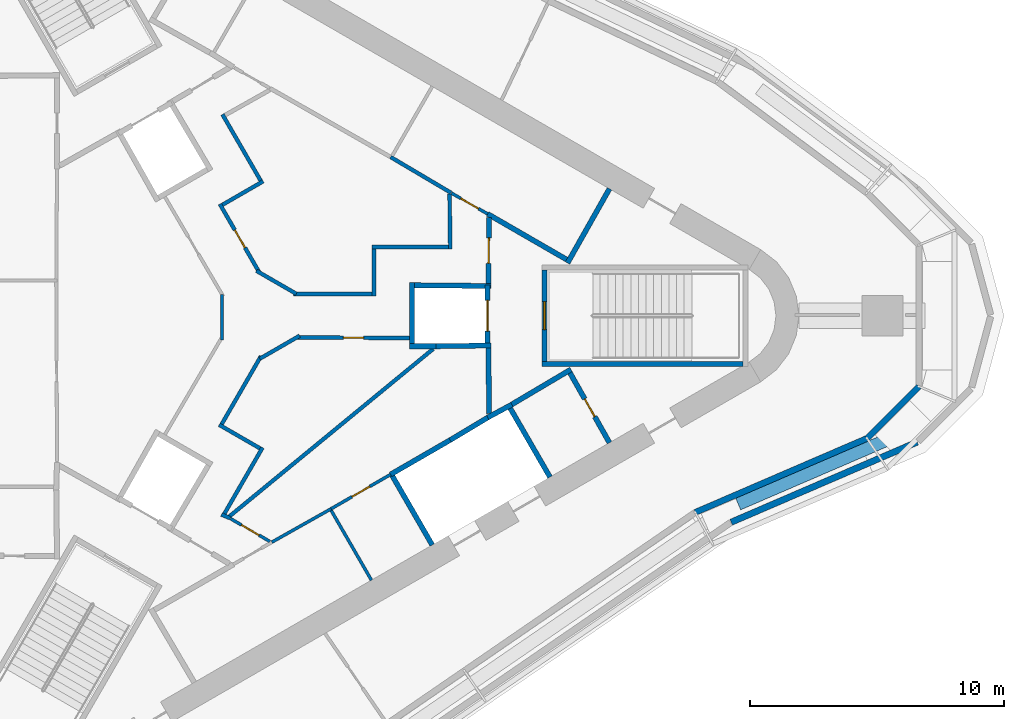
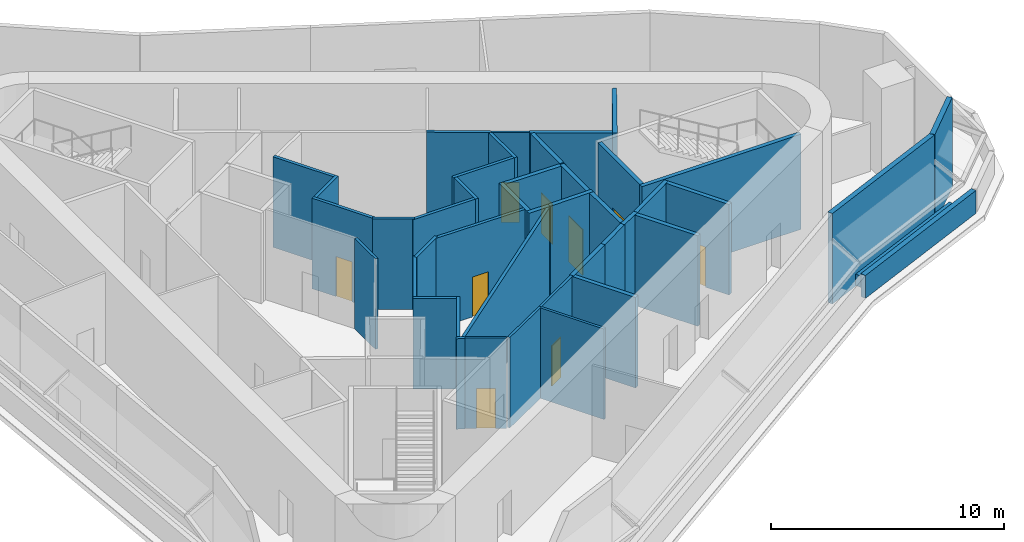
# One storey, part 4 of 7: 44 walls, 9 doors, 9 openings.
"""IFC4 building model written with IfcOpenShell, lengths in metres."""

from ifc_helpers import new_model, si_unit, direction, frame, frame_2d, origin, place, context, subcontext, project, spatial, rectangle, extrude, material, layer, layer_set, type_object, element, fill, save


model = new_model("IFC4")

# Units and contexts
model_context = context("Model", 3, precision=1e-05, world=origin(), true_north=direction((0.0, 1.0)))
body_context = subcontext(model_context, "Body", "Model", "MODEL_VIEW")
ifc_project = project(units=[si_unit("LENGTHUNIT", "METRE"), si_unit("AREAUNIT", "SQUARE_METRE"), si_unit("VOLUMEUNIT", "CUBIC_METRE"), si_unit("PLANEANGLEUNIT", "RADIAN"), si_unit("MASSUNIT", "GRAM", prefix="KILO")], contexts=[model_context])

# Site, building, storey
site_placement = place(None, origin())
site = spatial("IfcSite", under=ifc_project, at=site_placement, CompositionType="ELEMENT")
building_placement = place(site_placement, origin())
building = spatial("IfcBuilding", under=site, at=building_placement, Name="Tanit Gate Tower", CompositionType="ELEMENT")
storey_placement = place(building_placement, frame((0.0, 0.0, 420.300048828125)))
storey = spatial("IfcBuildingStorey", under=building, at=storey_placement, Name="L95", CompositionType="ELEMENT", Elevation=420.300048828125)

# Walls
ifc_material_1 = material(Name="Concrete C30/37 with bronze anodised aluminium cladding", Category="concrete")
ifc_layer_1 = layer(ifc_material_1, 0.239990234375)
ifc_layer_set_1 = layer_set([ifc_layer_1], Name="Facade wall bronze clad 240")
wall_type_1 = type_object("IfcWallType", Name="Facade wall bronze clad 240", PredefinedType="SOLIDWALL", material=ifc_layer_set_1)
wall_1_placement = place(storey_placement, frame((17.12744140625, -7.72900390625, 0.0), z_axis=(0.0, 0.0, 1.0), x_axis=(0.918306180975, 0.395870885497, 0.0)))
element("IfcWall", 1, at=wall_1_placement, inside=storey, type_object=wall_type_1, Name="Bronze-clad facade wall L95 SE3", PredefinedType="SOLIDWALL", context=body_context, shape_type="SweptSolid", body=[
    extrude(rectangle(XDim=7.349365234375, YDim=0.239990234375, at=frame_2d((3.6748046875, 0.0))), origin(), (0.0, 0.0, 1.0), 4.75),
])
wall_2_placement = place(storey_placement, frame((23.87646484375, -4.819580078125, 0.0), z_axis=(0.0, 0.0, 1.0), x_axis=(0.707106781187, 0.707106781187, 0.0)))
element("IfcWall", 2, at=wall_2_placement, inside=storey, type_object=wall_type_1, Name="Bronze-clad facade wall L95 E.arc1", PredefinedType="SOLIDWALL", context=body_context, shape_type="SweptSolid", body=[
    extrude(rectangle(XDim=2.885986328125, YDim=0.239990234375, at=frame_2d((1.44287109375, 0.0))), origin(), (0.0, 0.0, 1.0), 4.75),
])
ifc_material_2 = material(Name="Fire-rated gypsum board partition")
ifc_layer_2 = layer(ifc_material_2, 0.199951171875)
ifc_layer_set_2 = layer_set([ifc_layer_2], Name="INT-WALL-COMPARTMENT")
wall_type_2 = type_object("IfcWallType", Name="INT-WALL-COMPARTMENT", PredefinedType="PARTITIONING", material=ifc_layer_set_2)
wall_3_placement = place(storey_placement, frame((12.10986328125, 2.07275390625, 0.0), z_axis=(0.0, 0.0, 1.0), x_axis=(0.49196600604, 0.870614408852, 0.0)))
element("IfcWall", 3, at=wall_3_placement, inside=storey, type_object=wall_type_2, Name="Wall Compartment W044", PredefinedType="PARTITIONING", context=body_context, shape_type="SweptSolid", body=[
    extrude(rectangle(XDim=3.35009765625, YDim=0.199951171875, at=frame_2d((1.675048828125, 0.0))), origin(), (0.0, 0.0, 1.0), 4.75),
])
wall_4_placement = place(storey_placement, frame((8.97412109375, 3.998779296875, 0.0), z_axis=(0.0, 0.0, 1.0), x_axis=(0.86601284211, -0.500021756827, 0.0)))
element("IfcWall", 4, at=wall_4_placement, inside=storey, type_object=wall_type_2, Name="Wall Compartment W045", PredefinedType="PARTITIONING", context=body_context, shape_type="SweptSolid", body=[
    extrude(rectangle(XDim=3.577392578125, YDim=0.199951171875, at=frame_2d((1.78857421875, 0.0))), origin(), (0.0, 0.0, 1.0), 4.75),
])
wall_5_placement = place(storey_placement, frame((12.244873046875, -2.10888671875, 0.0), z_axis=(0.0, 0.0, 1.0), x_axis=(-0.860414880418, -0.509594185166, 0.0)))
element("IfcWall", 5, at=wall_5_placement, inside=storey, type_object=wall_type_2, Name="Wall Compartment W060", PredefinedType="PARTITIONING", context=body_context, shape_type="SweptSolid", body=[
    extrude(rectangle(XDim=2.7001953125, YDim=0.199951171875, at=frame_2d((1.35009765625, 0.0))), origin(), (0.0, 0.0, 1.0), 4.75),
])

# Wall, opening, door
wall_6_placement = place(storey_placement, frame((13.758056640625, -4.989501953125, 0.0), z_axis=(0.0, 0.0, 1.0), x_axis=(-0.491993409184, 0.87059892334, 0.0)))
wall_6 = element("IfcWall", 6, at=wall_6_placement, inside=storey, type_object=wall_type_2, Name="Wall Compartment W061", PredefinedType="PARTITIONING", context=body_context, shape_type="SweptSolid", body=[
    extrude(rectangle(XDim=3.150146484375, YDim=0.199951171875, at=frame_2d((1.5751953125, 0.0))), origin(), (0.0, 0.0, 1.0), 4.75),
])
opening_1_placement = place(wall_6_placement, frame((1.175048828125, 0.0, 0.0)))
opening_1 = element("IfcOpeningElement", 7, at=opening_1_placement, cuts=wall_6, Name="Opening R08-95-22", PredefinedType="OPENING", context=body_context, shape_type="SweptSolid", body=[
    extrude(rectangle(XDim=0.800048828125, YDim=2.10009765625, at=frame_2d((0.39990234375, 1.050048828125))), frame((0.0, 0.10986328125, 0.0), z_axis=(0.0, -1.0, 0.0), x_axis=(1.0, 0.0, 0.0)), (0.0, 0.0, 1.0), 0.219970703125),
])
ifc_material_3 = material(Name="Timber door leaf", Category="wood")
door_type_1 = type_object("IfcDoorType", Name="INT-DOOR-RISER-800", OperationType="NOTDEFINED", PredefinedType="USERDEFINED", material=ifc_material_3)
door_1_placement = place(opening_1_placement, origin())
door_1 = element("IfcDoor", 8, at=door_1_placement, inside=storey, type_object=door_type_1, Name="Door R08-95-22", ObjectType="FIRE DOOR", OperationType="SINGLE_SWING_RIGHT", OverallHeight=2.10009765625, OverallWidth=0.800048828125, PredefinedType="USERDEFINED", context=body_context, shape_type="SweptSolid", body=[
    extrude(rectangle(XDim=0.800048828125, YDim=2.10009765625, at=frame_2d((0.39990234375, 1.050048828125))), frame((0.0, 0.02490234375, 0.0), z_axis=(0.0, -1.0, 0.0), x_axis=(1.0, 0.0, 0.0)), (0.0, 0.0, 1.0), 0.050048828125),
])
fill(opening_1, door_1)

# Wall
wall_7_placement = place(storey_placement, frame((9.02880859375, -3.8505859375, 0.0), z_axis=(0.0, 0.0, 1.0), x_axis=(-0.010784614026, 0.999941844359, 0.0)))
element("IfcWall", 9, at=wall_7_placement, inside=storey, type_object=wall_type_2, Name="Wall Compartment W062", PredefinedType="PARTITIONING", context=body_context, shape_type="SweptSolid", body=[
    extrude(rectangle(XDim=2.580810546875, YDim=0.199951171875, at=frame_2d((1.29052734375, 0.0))), origin(), (0.0, 0.0, 1.0), 4.75),
])

# Wall, opening, door
wall_8_placement = place(storey_placement, frame((9.0009765625, 1.27001953125, 0.0), z_axis=(0.0, 0.0, 1.0), x_axis=(0.010780534828, 0.999941888346, 0.0)))
wall_8 = element("IfcWall", 10, at=wall_8_placement, inside=storey, type_object=wall_type_2, Name="Wall Compartment W063", PredefinedType="PARTITIONING", context=body_context, shape_type="SweptSolid", body=[
    extrude(rectangle(XDim=2.581787109375, YDim=0.199951171875, at=frame_2d((1.291015625, 0.0))), origin(), (0.0, 0.0, 1.0), 4.75),
])
opening_2_placement = place(wall_8_placement, frame((0.791015625, 0.0, 0.0)))
opening_2 = element("IfcOpeningElement", 11, at=opening_2_placement, cuts=wall_8, Name="Opening F10-95-02", PredefinedType="OPENING", context=body_context, shape_type="SweptSolid", body=[
    extrude(rectangle(XDim=1.0, YDim=2.10009765625, at=frame_2d((0.5, 1.050048828125))), frame((0.0, 0.10986328125, 0.0), z_axis=(0.0, -1.0, 0.0), x_axis=(1.0, 0.0, 0.0)), (0.0, 0.0, 1.0), 0.219970703125),
])
ifc_material_4 = material(Name="Fire-rated steel door leaf", Category="steel")
door_type_2 = type_object("IfcDoorType", Name="INT-DOOR-FIRE-1000", OperationType="NOTDEFINED", PredefinedType="USERDEFINED", material=ifc_material_4)
door_2_placement = place(opening_2_placement, origin())
door_2 = element("IfcDoor", 12, at=door_2_placement, inside=storey, type_object=door_type_2, Name="Door F10-95-02", ObjectType="FIRE DOOR", OperationType="SINGLE_SWING_RIGHT", OverallHeight=2.10009765625, OverallWidth=1.0, PredefinedType="USERDEFINED", context=body_context, shape_type="SweptSolid", body=[
    extrude(rectangle(XDim=1.0, YDim=2.10009765625, at=frame_2d((0.5, 1.050048828125))), frame((0.0, 0.02490234375, 0.0), z_axis=(0.0, -1.0, 0.0), x_axis=(1.0, 0.0, 0.0)), (0.0, 0.0, 1.0), 0.050048828125),
])
fill(opening_2, door_2)

ifc_material_5 = material(Name="Gypsum board partition")
ifc_layer_3 = layer(ifc_material_5, 0.1201171875)
ifc_layer_set_3 = layer_set([ifc_layer_3], Name="INT-WALL-PARTITION")
wall_type_3 = type_object("IfcWallType", Name="INT-WALL-PARTITION", PredefinedType="PARTITIONING", material=ifc_layer_set_3)
wall_9_placement = place(storey_placement, frame((7.550048828125, 4.82080078125, 0.0), z_axis=(0.0, 0.0, 1.0), x_axis=(0.866069384335, -0.499923815713, 0.0)))
wall_9 = element("IfcWall", 13, at=wall_9_placement, inside=storey, type_object=wall_type_3, Name="Wall Partition W047", PredefinedType="PARTITIONING", context=body_context, shape_type="SweptSolid", body=[
    extrude(rectangle(XDim=1.644287109375, YDim=0.1201171875, at=frame_2d((0.822265625, 0.0))), origin(), (0.0, 0.0, 1.0), 4.75),
])
opening_3_placement = place(wall_9_placement, frame((0.422119140625, 0.0, 0.0)))
opening_3 = element("IfcOpeningElement", 14, at=opening_3_placement, cuts=wall_9, Name="Opening R08-95-17", PredefinedType="OPENING", context=body_context, shape_type="SweptSolid", body=[
    extrude(rectangle(XDim=0.800048828125, YDim=2.10009765625, at=frame_2d((0.39990234375, 1.050048828125))), frame((0.0, 0.070068359375, 0.0), z_axis=(0.0, -1.0, 0.0), x_axis=(1.0, 0.0, 0.0)), (0.0, 0.0, 1.0), 0.14013671875),
])
door_3_placement = place(opening_3_placement, origin())
door_3 = element("IfcDoor", 15, at=door_3_placement, inside=storey, type_object=door_type_1, Name="Door R08-95-17", ObjectType="FIRE DOOR", OperationType="SINGLE_SWING_LEFT", OverallHeight=2.10009765625, OverallWidth=0.800048828125, PredefinedType="USERDEFINED", context=body_context, shape_type="SweptSolid", body=[
    extrude(rectangle(XDim=0.800048828125, YDim=2.10009765625, at=frame_2d((0.39990234375, 1.050048828125))), frame((0.0, 0.02490234375, 0.0), z_axis=(0.0, -1.0, 0.0), x_axis=(1.0, 0.0, 0.0)), (0.0, 0.0, 1.0), 0.050048828125),
])
fill(opening_3, door_3)

# Walls
wall_10_placement = place(storey_placement, frame((4.40478515625, -10.389404296875, 0.0), z_axis=(0.0, 0.0, 1.0), x_axis=(-0.500017246033, 0.866015446554, 0.0)))
element("IfcWall", 16, at=wall_10_placement, inside=storey, type_object=wall_type_3, Name="Wall Partition W054", PredefinedType="PARTITIONING", context=body_context, shape_type="SweptSolid", body=[
    extrude(rectangle(XDim=3.25, YDim=0.1201171875, at=frame_2d((1.625, 0.0))), origin(), (0.0, 0.0, 1.0), 4.75),
])
wall_11_placement = place(storey_placement, frame((0.4931640625, -8.896240234375, 0.0), z_axis=(0.0, 0.0, 1.0), x_axis=(0.871414386141, 0.490547620141, 0.0)))
element("IfcWall", 17, at=wall_11_placement, inside=storey, type_object=wall_type_3, Name="Wall Partition W057", PredefinedType="PARTITIONING", context=body_context, shape_type="SweptSolid", body=[
    extrude(rectangle(XDim=2.671142578125, YDim=0.1201171875, at=frame_2d((1.33544921875, 0.0))), origin(), (0.0, 0.0, 1.0), 4.75),
])

# Wall, opening, door
wall_12_placement = place(storey_placement, frame((2.82080078125, -7.5859375, 0.0), z_axis=(0.0, 0.0, 1.0), x_axis=(0.866019956843, 0.50000943426, 0.0)))
wall_12 = element("IfcWall", 18, at=wall_12_placement, inside=storey, type_object=wall_type_3, Name="Wall Partition W059", PredefinedType="PARTITIONING", context=body_context, shape_type="SweptSolid", body=[
    extrude(rectangle(XDim=2.7001953125, YDim=0.1201171875, at=frame_2d((1.35009765625, 0.0))), origin(), (0.0, 0.0, 1.0), 4.75),
])
opening_4_placement = place(wall_12_placement, frame((0.949951171875, 0.0, 0.0)))
opening_4 = element("IfcOpeningElement", 19, at=opening_4_placement, cuts=wall_12, Name="Opening R08-95-21", PredefinedType="OPENING", context=body_context, shape_type="SweptSolid", body=[
    extrude(rectangle(XDim=0.800048828125, YDim=2.10009765625, at=frame_2d((0.39990234375, 1.050048828125))), frame((0.0, 0.070068359375, 0.0), z_axis=(0.0, -1.0, 0.0), x_axis=(1.0, 0.0, 0.0)), (0.0, 0.0, 1.0), 0.14013671875),
])
door_4_placement = place(opening_4_placement, origin())
door_4 = element("IfcDoor", 20, at=door_4_placement, inside=storey, type_object=door_type_1, Name="Door R08-95-21", ObjectType="FIRE DOOR", OperationType="SINGLE_SWING_RIGHT", OverallHeight=2.10009765625, OverallWidth=0.800048828125, PredefinedType="USERDEFINED", context=body_context, shape_type="SweptSolid", body=[
    extrude(rectangle(XDim=0.800048828125, YDim=2.10009765625, at=frame_2d((0.39990234375, 1.050048828125))), frame((0.0, 0.02490234375, 0.0), z_axis=(0.0, -1.0, 0.0), x_axis=(1.0, 0.0, 0.0)), (0.0, 0.0, 1.0), 0.050048828125),
])
fill(opening_4, door_4)

# Wall
wall_13_placement = place(storey_placement, frame((-1.47216796875, -0.952392578125, 0.0), z_axis=(0.0, 0.0, 1.0), x_axis=(0.0, 1.0, 0.0)))
element("IfcWall", 21, at=wall_13_placement, inside=storey, type_object=wall_type_3, Name="Wall Partition W069", PredefinedType="PARTITIONING", context=body_context, shape_type="SweptSolid", body=[
    extrude(rectangle(XDim=1.783447265625, YDim=0.1201171875, at=frame_2d((0.8916015625, 0.0))), origin(), (0.0, 0.0, 1.0), 4.75),
])

# Wall, opening, door
wall_14_placement = place(storey_placement, frame((-1.1298828125, -7.973876953125, 0.0), z_axis=(0.0, 0.0, 1.0), x_axis=(0.864961190995, -0.501838757045, 0.0)))
wall_14 = element("IfcWall", 22, at=wall_14_placement, inside=storey, type_object=wall_type_3, Name="Wall Partition W078", PredefinedType="PARTITIONING", context=body_context, shape_type="SweptSolid", body=[
    extrude(rectangle(XDim=1.786376953125, YDim=0.1201171875, at=frame_2d((0.89306640625, 0.0))), origin(), (0.0, 0.0, 1.0), 4.75),
])
opening_5_placement = place(wall_14_placement, frame((0.4931640625, 0.0, 0.0)))
opening_5 = element("IfcOpeningElement", 23, at=opening_5_placement, cuts=wall_14, Name="Opening R08-95-12", PredefinedType="OPENING", context=body_context, shape_type="SweptSolid", body=[
    extrude(rectangle(XDim=0.800048828125, YDim=2.10009765625, at=frame_2d((0.39990234375, 1.050048828125))), frame((0.0, 0.070068359375, 0.0), z_axis=(0.0, -1.0, 0.0), x_axis=(1.0, 0.0, 0.0)), (0.0, 0.0, 1.0), 0.14013671875),
])
door_5_placement = place(opening_5_placement, origin())
door_5 = element("IfcDoor", 24, at=door_5_placement, inside=storey, type_object=door_type_1, Name="Door R08-95-12", ObjectType="FIRE DOOR", OperationType="SINGLE_SWING_RIGHT", OverallHeight=2.10009765625, OverallWidth=0.800048828125, PredefinedType="USERDEFINED", context=body_context, shape_type="SweptSolid", body=[
    extrude(rectangle(XDim=0.800048828125, YDim=2.10009765625, at=frame_2d((0.39990234375, 1.050048828125))), frame((0.0, 0.02490234375, 0.0), z_axis=(0.0, -1.0, 0.0), x_axis=(1.0, 0.0, 0.0)), (0.0, 0.0, 1.0), 0.050048828125),
])
fill(opening_5, door_5)

# Walls
ifc_material_6 = material(Name="Fire-rated gypsum board partition")
ifc_layer_4 = layer(ifc_material_6, 0.14990234375)
ifc_layer_set_4 = layer_set([ifc_layer_4], Name="INT-WALL-RISER")
wall_type_4 = type_object("IfcWallType", Name="INT-WALL-RISER", PredefinedType="PLUMBINGWALL", material=ifc_layer_set_4)
wall_15_placement = place(storey_placement, frame((7.530029296875, 4.83251953125, 0.0), z_axis=(0.0, 0.0, 1.0), x_axis=(-0.860550523279, 0.509365091938, 0.0)))
element("IfcWall", 25, at=wall_15_placement, inside=storey, type_object=wall_type_4, Name="Wall Riser W046", PredefinedType="PLUMBINGWALL", context=body_context, shape_type="SweptSolid", body=[
    extrude(rectangle(XDim=2.755126953125, YDim=0.14990234375, at=frame_2d((1.37744140625, 0.0))), origin(), (0.0, 0.0, 1.0), 4.75),
])
wall_16_placement = place(storey_placement, frame((6.833740234375, -1.3017578125, 0.0), z_axis=(0.0, 0.0, 1.0), x_axis=(-0.772564687607, -0.634936062499, 0.0)))
element("IfcWall", 26, at=wall_16_placement, inside=storey, type_object=wall_type_4, Name="Wall Riser W071", PredefinedType="PLUMBINGWALL", context=body_context, shape_type="SweptSolid", body=[
    extrude(rectangle(XDim=10.457275390625, YDim=0.14990234375, at=frame_2d((5.228515625, 0.0))), origin(), (0.0, 0.0, 1.0), 4.75),
])
wall_17_placement = place(storey_placement, frame((-1.490234375, -7.812255859375, 0.0), z_axis=(0.0, 0.0, 1.0), x_axis=(0.921780306558, -0.387712608051, 0.0)))
element("IfcWall", 27, at=wall_17_placement, inside=storey, type_object=wall_type_4, Name="Wall Riser W072", PredefinedType="PLUMBINGWALL", context=body_context, shape_type="SweptSolid", body=[
    extrude(rectangle(XDim=0.38037109375, YDim=0.14990234375, at=frame_2d((0.190185546875, 0.0))), origin(), (0.0, 0.0, 1.0), 4.75),
])
wall_18_placement = place(storey_placement, frame((0.125732421875, -5.18212890625, 0.0), z_axis=(0.0, 0.0, 1.0), x_axis=(-0.499999580976, -0.866025645708, 0.0)))
element("IfcWall", 28, at=wall_18_placement, inside=storey, type_object=wall_type_4, Name="Wall Riser W073", PredefinedType="PLUMBINGWALL", context=body_context, shape_type="SweptSolid", body=[
    extrude(rectangle(XDim=2.99951171875, YDim=0.14990234375, at=frame_2d((1.499755859375, 0.0))), origin(), (0.0, 0.0, 1.0), 4.75),
])
wall_19_placement = place(storey_placement, frame((-1.578857421875, -4.28466796875, 0.0), z_axis=(0.0, 0.0, 1.0), x_axis=(0.866033964044, -0.499985172903, 0.0)))
element("IfcWall", 29, at=wall_19_placement, inside=storey, type_object=wall_type_4, Name="Wall Riser W074", PredefinedType="PLUMBINGWALL", context=body_context, shape_type="SweptSolid", body=[
    extrude(rectangle(XDim=1.85009765625, YDim=0.14990234375, at=frame_2d((0.925048828125, 0.0))), origin(), (0.0, 0.0, 1.0), 4.75),
])
wall_20_placement = place(storey_placement, frame((0.06494140625, -1.58740234375, 0.0), z_axis=(0.0, 0.0, 1.0), x_axis=(-0.499980683721, -0.866036555756, 0.0)))
element("IfcWall", 30, at=wall_20_placement, inside=storey, type_object=wall_type_4, Name="Wall Riser W075", PredefinedType="PLUMBINGWALL", context=body_context, shape_type="SweptSolid", body=[
    extrude(rectangle(XDim=3.08251953125, YDim=0.14990234375, at=frame_2d((1.541259765625, 0.0))), origin(), (0.0, 0.0, 1.0), 4.75),
])
wall_21_placement = place(storey_placement, frame((1.5830078125, -0.7861328125, 0.0), z_axis=(0.0, 0.0, 1.0), x_axis=(-0.866036909293, -0.499980071345, 0.0)))
element("IfcWall", 31, at=wall_21_placement, inside=storey, type_object=wall_type_4, Name="Wall Riser W076", PredefinedType="PLUMBINGWALL", context=body_context, shape_type="SweptSolid", body=[
    extrude(rectangle(XDim=1.8046875, YDim=0.14990234375, at=frame_2d((0.90234375, 0.0))), origin(), (0.0, 0.0, 1.0), 4.75),
])

# Wall, opening, door
wall_22_placement = place(storey_placement, frame((5.89990234375, -0.87890625, 0.0), z_axis=(0.0, 0.0, 1.0), x_axis=(-0.999978605844, 0.006541242613, 0.0)))
wall_22 = element("IfcWall", 32, at=wall_22_placement, inside=storey, type_object=wall_type_4, Name="Wall Riser W077", PredefinedType="PLUMBINGWALL", context=body_context, shape_type="SweptSolid", body=[
    extrude(rectangle(XDim=4.404052734375, YDim=0.14990234375, at=frame_2d((2.2021484375, 0.0))), origin(), (0.0, 0.0, 1.0), 4.75),
])
opening_6_placement = place(wall_22_placement, frame((1.802001953125, 0.0, 0.0)))
opening_6 = element("IfcOpeningElement", 33, at=opening_6_placement, cuts=wall_22, Name="Opening R08-95-11", PredefinedType="OPENING", context=body_context, shape_type="SweptSolid", body=[
    extrude(rectangle(XDim=0.800048828125, YDim=2.10009765625, at=frame_2d((0.39990234375, 1.050048828125))), frame((0.0, 0.0849609375, 0.0), z_axis=(0.0, -1.0, 0.0), x_axis=(1.0, 0.0, 0.0)), (0.0, 0.0, 1.0), 0.169921875),
])
door_6_placement = place(opening_6_placement, origin())
door_6 = element("IfcDoor", 34, at=door_6_placement, inside=storey, type_object=door_type_1, Name="Door R08-95-11", ObjectType="FIRE DOOR", OperationType="SINGLE_SWING_LEFT", OverallHeight=2.10009765625, OverallWidth=0.800048828125, PredefinedType="USERDEFINED", context=body_context, shape_type="SweptSolid", body=[
    extrude(rectangle(XDim=0.800048828125, YDim=2.10009765625, at=frame_2d((0.39990234375, 1.050048828125))), frame((0.0, 0.02490234375, 0.0), z_axis=(0.0, -1.0, 0.0), x_axis=(1.0, 0.0, 0.0)), (0.0, 0.0, 1.0), 0.050048828125),
])
fill(opening_6, door_6)

# Walls
wall_23_placement = place(storey_placement, frame((7.5009765625, 2.625, 0.0), z_axis=(0.0, 0.0, 1.0), x_axis=(-0.011799927307, 0.999930378434, 0.0)))
element("IfcWall", 35, at=wall_23_placement, inside=storey, type_object=wall_type_4, Name="Wall Riser W079", PredefinedType="PLUMBINGWALL", context=body_context, shape_type="SweptSolid", body=[
    extrude(rectangle(XDim=2.15185546875, YDim=0.14990234375, at=frame_2d((1.075927734375, 0.0))), origin(), (0.0, 0.0, 1.0), 4.75),
])
wall_24_placement = place(storey_placement, frame((4.425048828125, 2.699951171875, 0.0), z_axis=(0.0, 0.0, 1.0), x_axis=(1.0, 0.0, 0.0)))
element("IfcWall", 36, at=wall_24_placement, inside=storey, type_object=wall_type_4, Name="Wall Riser W080", PredefinedType="PLUMBINGWALL", context=body_context, shape_type="SweptSolid", body=[
    extrude(rectangle(XDim=3.0, YDim=0.14990234375, at=frame_2d((1.5, 0.0))), origin(), (0.0, 0.0, 1.0), 4.75),
])
wall_25_placement = place(storey_placement, frame((4.5, 0.77490234375, 0.0), z_axis=(0.0, 0.0, 1.0), x_axis=(0.0, 1.0, 0.0)))
element("IfcWall", 37, at=wall_25_placement, inside=storey, type_object=wall_type_4, Name="Wall Riser W081", PredefinedType="PLUMBINGWALL", context=body_context, shape_type="SweptSolid", body=[
    extrude(rectangle(XDim=1.85009765625, YDim=0.14990234375, at=frame_2d((0.925048828125, 0.0))), origin(), (0.0, 0.0, 1.0), 4.75),
])
wall_26_placement = place(storey_placement, frame((1.34228515625, 0.85009765625, 0.0), z_axis=(0.0, 0.0, 1.0), x_axis=(1.0, 0.0, 0.0)))
element("IfcWall", 38, at=wall_26_placement, inside=storey, type_object=wall_type_4, Name="Wall Riser W082", PredefinedType="PLUMBINGWALL", context=body_context, shape_type="SweptSolid", body=[
    extrude(rectangle(XDim=3.082763671875, YDim=0.14990234375, at=frame_2d((1.54150390625, 0.0))), origin(), (0.0, 0.0, 1.0), 4.75),
])
wall_27_placement = place(storey_placement, frame((-0.112548828125, 1.764892578125, 0.0), z_axis=(0.0, 0.0, 1.0), x_axis=(0.866039322102, -0.499975891992, 0.0)))
element("IfcWall", 39, at=wall_27_placement, inside=storey, type_object=wall_type_4, Name="Wall Riser W083", PredefinedType="PLUMBINGWALL", context=body_context, shape_type="SweptSolid", body=[
    extrude(rectangle(XDim=1.806640625, YDim=0.14990234375, at=frame_2d((0.9033203125, 0.0))), origin(), (0.0, 0.0, 1.0), 4.75),
])

# Wall, opening, door
wall_28_placement = place(storey_placement, frame((-1.55126953125, 4.386962890625, 0.0), z_axis=(0.0, 0.0, 1.0), x_axis=(0.499976393034, -0.866039032844, 0.0)))
wall_28 = element("IfcWall", 40, at=wall_28_placement, inside=storey, type_object=wall_type_4, Name="Wall Riser W084", PredefinedType="PLUMBINGWALL", context=body_context, shape_type="SweptSolid", body=[
    extrude(rectangle(XDim=3.079345703125, YDim=0.14990234375, at=frame_2d((1.53955078125, 0.0))), origin(), (0.0, 0.0, 1.0), 4.75),
])
opening_7_placement = place(wall_28_placement, frame((1.17724609375, 0.0, 0.0)))
opening_7 = element("IfcOpeningElement", 41, at=opening_7_placement, cuts=wall_28, Name="Opening R08-95-13", PredefinedType="OPENING", context=body_context, shape_type="SweptSolid", body=[
    extrude(rectangle(XDim=0.800048828125, YDim=2.10009765625, at=frame_2d((0.39990234375, 1.050048828125))), frame((0.0, 0.0849609375, 0.0), z_axis=(0.0, -1.0, 0.0), x_axis=(1.0, 0.0, 0.0)), (0.0, 0.0, 1.0), 0.169921875),
])
door_7_placement = place(opening_7_placement, origin())
door_7 = element("IfcDoor", 42, at=door_7_placement, inside=storey, type_object=door_type_1, Name="Door R08-95-13", ObjectType="FIRE DOOR", OperationType="SINGLE_SWING_RIGHT", OverallHeight=2.10009765625, OverallWidth=0.800048828125, PredefinedType="USERDEFINED", context=body_context, shape_type="SweptSolid", body=[
    extrude(rectangle(XDim=0.800048828125, YDim=2.10009765625, at=frame_2d((0.39990234375, 1.050048828125))), frame((0.0, 0.02490234375, 0.0), z_axis=(0.0, -1.0, 0.0), x_axis=(1.0, 0.0, 0.0)), (0.0, 0.0, 1.0), 0.050048828125),
])
fill(opening_7, door_7)

# Walls
wall_29_placement = place(storey_placement, frame((0.1533203125, 5.28466796875, 0.0), z_axis=(0.0, 0.0, 1.0), x_axis=(-0.866033964044, -0.499985172903, 0.0)))
element("IfcWall", 43, at=wall_29_placement, inside=storey, type_object=wall_type_4, Name="Wall Riser W085", PredefinedType="PLUMBINGWALL", context=body_context, shape_type="SweptSolid", body=[
    extrude(rectangle(XDim=1.85009765625, YDim=0.14990234375, at=frame_2d((0.925048828125, 0.0))), origin(), (0.0, 0.0, 1.0), 4.75),
])
wall_30_placement = place(storey_placement, frame((-1.44921875, 7.91015625, 0.0), z_axis=(0.0, 0.0, 1.0), x_axis=(0.499990139034, -0.866031096941, 0.0)))
element("IfcWall", 44, at=wall_30_placement, inside=storey, type_object=wall_type_4, Name="Wall Riser W086", PredefinedType="PLUMBINGWALL", context=body_context, shape_type="SweptSolid", body=[
    extrude(rectangle(XDim=3.0, YDim=0.14990234375, at=frame_2d((1.5, 0.0))), origin(), (0.0, 0.0, 1.0), 4.75),
])
ifc_material_7 = material(Name="Gypsum shaft wall system")
ifc_layer_5 = layer(ifc_material_7, 0.199951171875)
ifc_layer_set_5 = layer_set([ifc_layer_5], Name="INT-WALL-SHAFT")
wall_type_5 = type_object("IfcWallType", Name="INT-WALL-SHAFT", PredefinedType="PLUMBINGWALL", material=ifc_layer_set_5)
wall_31_placement = place(storey_placement, frame((6.795166015625, -9.009521484375, 0.0), z_axis=(0.0, 0.0, 1.0), x_axis=(-0.499984717929, 0.866034226713, 0.0)))
element("IfcWall", 45, at=wall_31_placement, inside=storey, type_object=wall_type_5, Name="Wall Shaft W001", PredefinedType="PLUMBINGWALL", context=body_context, shape_type="SweptSolid", body=[
    extrude(rectangle(XDim=3.25, YDim=0.199951171875, at=frame_2d((1.625, 0.0))), origin(), (0.0, 0.0, 1.0), 4.75),
])
wall_32_placement = place(storey_placement, frame((5.1591796875, -6.23583984375, 0.0), z_axis=(0.0, 0.0, 1.0), x_axis=(0.866036505625, 0.499980770555, 0.0)))
element("IfcWall", 46, at=wall_32_placement, inside=storey, type_object=wall_type_5, Name="Wall Shaft W002", PredefinedType="PLUMBINGWALL", context=body_context, shape_type="SweptSolid", body=[
    extrude(rectangle(XDim=2.69970703125, YDim=0.199951171875, at=frame_2d((1.349853515625, 0.0))), origin(), (0.0, 0.0, 1.0), 4.75),
])
wall_33_placement = place(storey_placement, frame((9.794677734375, -3.52490234375, 0.0), z_axis=(0.0, 0.0, 1.0), x_axis=(0.499984717929, -0.866034226713, 0.0)))
element("IfcWall", 47, at=wall_33_placement, inside=storey, type_object=wall_type_5, Name="Wall Shaft W003", PredefinedType="PLUMBINGWALL", context=body_context, shape_type="SweptSolid", body=[
    extrude(rectangle(XDim=3.25, YDim=0.199951171875, at=frame_2d((1.625, 0.0))), origin(), (0.0, 0.0, 1.0), 4.75),
])
wall_34_placement = place(storey_placement, frame((8.97412109375, -3.998779296875, 0.0), z_axis=(0.0, 0.0, 1.0), x_axis=(0.880907015104, 0.473289373154, 0.0)))
element("IfcWall", 48, at=wall_34_placement, inside=storey, type_object=wall_type_5, Name="Wall Shaft W004", PredefinedType="PLUMBINGWALL", context=body_context, shape_type="SweptSolid", body=[
    extrude(rectangle(XDim=1.078125, YDim=0.199951171875, at=frame_2d((0.5390625, 0.0))), origin(), (0.0, 0.0, 1.0), 4.75),
])
wall_35_placement = place(storey_placement, frame((7.497314453125, -4.885986328125, 0.0), z_axis=(0.0, 0.0, 1.0), x_axis=(0.857516281273, 0.51445682749, 0.0)))
element("IfcWall", 49, at=wall_35_placement, inside=storey, type_object=wall_type_5, Name="Wall Shaft W005", PredefinedType="PLUMBINGWALL", context=body_context, shape_type="SweptSolid", body=[
    extrude(rectangle(XDim=1.8447265625, YDim=0.199951171875, at=frame_2d((0.92236328125, 0.0))), origin(), (0.0, 0.0, 1.0), 4.75),
])

# Wall, opening, door
wall_36_placement = place(storey_placement, frame((8.969970703125, 1.199951171875, 0.0), z_axis=(0.0, 0.0, 1.0), x_axis=(0.0, -1.0, 0.0)))
wall_36 = element("IfcWall", 50, at=wall_36_placement, inside=storey, type_object=wall_type_5, Name="Wall Shaft W010", PredefinedType="PLUMBINGWALL", context=body_context, shape_type="SweptSolid", body=[
    extrude(rectangle(XDim=2.39990234375, YDim=0.199951171875, at=frame_2d((1.199951171875, 0.0))), origin(), (0.0, 0.0, 1.0), 4.75),
])
opening_8_placement = place(wall_36_placement, frame((0.60009765625, 0.0, 0.0)))
opening_8 = element("IfcOpeningElement", 51, at=opening_8_placement, cuts=wall_36, Name="Opening LDFL1-L95", PredefinedType="OPENING", context=body_context, shape_type="SweptSolid", body=[
    extrude(rectangle(XDim=1.199951171875, YDim=2.39990234375, at=frame_2d((0.60009765625, 1.199951171875))), frame((0.0, 0.10986328125, 0.0), z_axis=(0.0, -1.0, 0.0), x_axis=(1.0, 0.0, 0.0)), (0.0, 0.0, 1.0), 0.219970703125),
])
ifc_material_8 = material(Name="Stainless steel sliding door leaf", Category="steel")
door_type_3 = type_object("IfcDoorType", Name="INT-DOOR-LANDING-1200", OperationType="NOTDEFINED", PredefinedType="USERDEFINED", material=ifc_material_8)
door_8_placement = place(opening_8_placement, origin())
door_8 = element("IfcDoor", 52, at=door_8_placement, inside=storey, type_object=door_type_3, Name="Door LDFL1-L95", ObjectType="LANDING DOOR", OperationType="SLIDING_TO_LEFT", OverallHeight=2.39990234375, OverallWidth=1.199951171875, PredefinedType="USERDEFINED", context=body_context, shape_type="SweptSolid", body=[
    extrude(rectangle(XDim=1.199951171875, YDim=2.39990234375, at=frame_2d((0.60009765625, 1.199951171875))), frame((0.0, 0.02490234375, 0.0), z_axis=(0.0, -1.0, 0.0), x_axis=(1.0, 0.0, 0.0)), (0.0, 0.0, 1.0), 0.050048828125),
])
fill(opening_8, door_8)

# Walls
wall_37_placement = place(storey_placement, frame((6.948974609375, -1.199951171875, 0.0), z_axis=(0.0, 0.0, 1.0), x_axis=(-1.0, 0.0, 0.0)))
element("IfcWall", 53, at=wall_37_placement, inside=storey, type_object=wall_type_5, Name="Wall Shaft W011", PredefinedType="PLUMBINGWALL", context=body_context, shape_type="SweptSolid", body=[
    extrude(rectangle(XDim=1.049072265625, YDim=0.199951171875, at=frame_2d((0.5244140625, 0.0))), origin(), (0.0, 0.0, 1.0), 4.75),
])
wall_38_placement = place(storey_placement, frame((6.0, -1.10009765625, 0.0), z_axis=(0.0, 0.0, 1.0), x_axis=(0.0, 1.0, 0.0)))
element("IfcWall", 54, at=wall_38_placement, inside=storey, type_object=wall_type_5, Name="Wall Shaft W012", PredefinedType="PLUMBINGWALL", context=body_context, shape_type="SweptSolid", body=[
    extrude(rectangle(XDim=2.400146484375, YDim=0.199951171875, at=frame_2d((1.2001953125, 0.0))), origin(), (0.0, 0.0, 1.0), 4.75),
])
wall_39_placement = place(storey_placement, frame((9.10009765625, -1.16845703125, 0.0), z_axis=(0.0, 0.0, 1.0), x_axis=(-0.999896137355, -0.014412303875, 0.0)))
element("IfcWall", 55, at=wall_39_placement, inside=storey, type_object=wall_type_5, Name="Wall Shaft W013", PredefinedType="PLUMBINGWALL", context=body_context, shape_type="SweptSolid", body=[
    extrude(rectangle(XDim=2.1513671875, YDim=0.199951171875, at=frame_2d((1.07568359375, 0.0))), origin(), (0.0, 0.0, 1.0), 4.75),
])
wall_40_placement = place(storey_placement, frame((9.10009765625, 1.1689453125, 0.0), z_axis=(0.0, 0.0, 1.0), x_axis=(-0.99994990606, 0.010009264196, 0.0)))
element("IfcWall", 56, at=wall_40_placement, inside=storey, type_object=wall_type_5, Name="Wall Shaft W015", PredefinedType="PLUMBINGWALL", context=body_context, shape_type="SweptSolid", body=[
    extrude(rectangle(XDim=3.000244140625, YDim=0.199951171875, at=frame_2d((1.5, 0.0))), origin(), (0.0, 0.0, 1.0), 4.75),
])
ifc_material_9 = material(Name="Concrete C40/50", Category="concrete")
ifc_layer_6 = layer(ifc_material_9, 0.199951171875)
ifc_layer_set_6 = layer_set([ifc_layer_6], Name="INT-WALL-STAIR")
wall_type_6 = type_object("IfcWallType", Name="INT-WALL-STAIR", PredefinedType="SHEAR", material=ifc_layer_set_6)
wall_41_placement = place(storey_placement, frame((11.10009765625, -1.89990234375, -0.25), z_axis=(0.0, 0.0, 1.0), x_axis=(1.0, 0.0, 0.0)))
element("IfcWall", 57, at=wall_41_placement, inside=storey, type_object=wall_type_6, Name="Wall Stair W008", PredefinedType="SHEAR", context=body_context, shape_type="SweptSolid", body=[
    extrude(rectangle(XDim=7.89990234375, YDim=0.199951171875, at=frame_2d((3.949951171875, 0.0))), origin(), (0.0, 0.0, 1.0), 5.0),
])

# Wall, opening, door
wall_42_placement = place(storey_placement, frame((11.199951171875, -1.800048828125, -0.25), z_axis=(0.0, 0.0, 1.0), x_axis=(0.0, 1.0, 0.0)))
wall_42 = element("IfcWall", 58, at=wall_42_placement, inside=storey, type_object=wall_type_6, Name="Wall Stair W009", PredefinedType="SHEAR", context=body_context, shape_type="SweptSolid", body=[
    extrude(rectangle(XDim=3.60009765625, YDim=0.199951171875, at=frame_2d((1.800048828125, 0.0))), origin(), (0.0, 0.0, 1.0), 5.0),
])
opening_9_placement = place(wall_42_placement, frame((1.25, 0.0, 0.25)))
opening_9 = element("IfcOpeningElement", 59, at=opening_9_placement, cuts=wall_42, Name="Opening S11-95-01", PredefinedType="OPENING", context=body_context, shape_type="SweptSolid", body=[
    extrude(rectangle(XDim=1.10009765625, YDim=2.10009765625, at=frame_2d((0.550048828125, 1.050048828125))), frame((0.0, 0.10986328125, 0.0), z_axis=(0.0, -1.0, 0.0), x_axis=(1.0, 0.0, 0.0)), (0.0, 0.0, 1.0), 0.219970703125),
])
ifc_material_10 = material(Name="Timber door leaf", Category="wood")
door_type_4 = type_object("IfcDoorType", Name="INT-DOOR-STAIR-1100", OperationType="NOTDEFINED", PredefinedType="USERDEFINED", material=ifc_material_10)
door_9_placement = place(opening_9_placement, origin())
door_9 = element("IfcDoor", 60, at=door_9_placement, inside=storey, type_object=door_type_4, Name="Door S11-95-01", ObjectType="FIRE DOOR", OperationType="SINGLE_SWING_RIGHT", OverallHeight=2.10009765625, OverallWidth=1.10009765625, PredefinedType="USERDEFINED", context=body_context, shape_type="SweptSolid", body=[
    extrude(rectangle(XDim=1.10009765625, YDim=2.10009765625, at=frame_2d((0.550048828125, 1.050048828125))), frame((0.0, 0.02490234375, 0.0), z_axis=(0.0, -1.0, 0.0), x_axis=(1.0, 0.0, 0.0)), (0.0, 0.0, 1.0), 0.050048828125),
])
fill(opening_9, door_9)

# Walls
ifc_material_11 = material(Name="Concrete C30/37", Category="concrete")
ifc_layer_7 = layer(ifc_material_11, 0.25)
ifc_layer_set_7 = layer_set([ifc_layer_7], Name="Parapet wall 250")
wall_type_7 = type_object("IfcWallType", Name="Parapet wall 250", PredefinedType="PARAPET", material=ifc_layer_set_7)
wall_43_placement = place(storey_placement, frame((25.849853515625, -4.963623046875, 0.0400390625), z_axis=(0.0, 0.0, 1.0), x_axis=(-0.918309857205, -0.395862357594, 0.0)))
element("IfcWall", 61, at=wall_43_placement, inside=storey, type_object=wall_type_7, Name="Terrace parapet L95 5", PredefinedType="PARAPET", context=body_context, shape_type="SweptSolid", body=[
    extrude(rectangle(XDim=7.957763671875, YDim=0.25, at=frame_2d((3.97900390625, 0.0))), origin(), (0.0, 0.0, 1.0), 1.199951171875),
])
ifc_material_12 = material(Name="Concrete C30/37", Category="concrete")
ifc_layer_8 = layer(ifc_material_12, 0.5)
ifc_layer_set_8 = layer_set([ifc_layer_8], Name="Planter box 600")
wall_type_8 = type_object("IfcWallType", Name="Planter box 600", PredefinedType="PARAPET", material=ifc_layer_set_8)
wall_44_placement = place(storey_placement, frame((25.00634765625, -4.728271484375, 0.0400390625), z_axis=(0.0, 0.0, 1.0), x_axis=(-0.918311377088, -0.395858831795, 0.0)))
element("IfcWall", 62, at=wall_44_placement, inside=storey, type_object=wall_type_8, Name="PLANTER", PredefinedType="PARAPET", context=body_context, shape_type="SweptSolid", body=[
    extrude(rectangle(XDim=6.7421875, YDim=0.5, at=frame_2d((3.37109375, 0.0))), origin(), (0.0, 0.0, 1.0), 0.599853515625),
])

save(model, "model.ifc")
